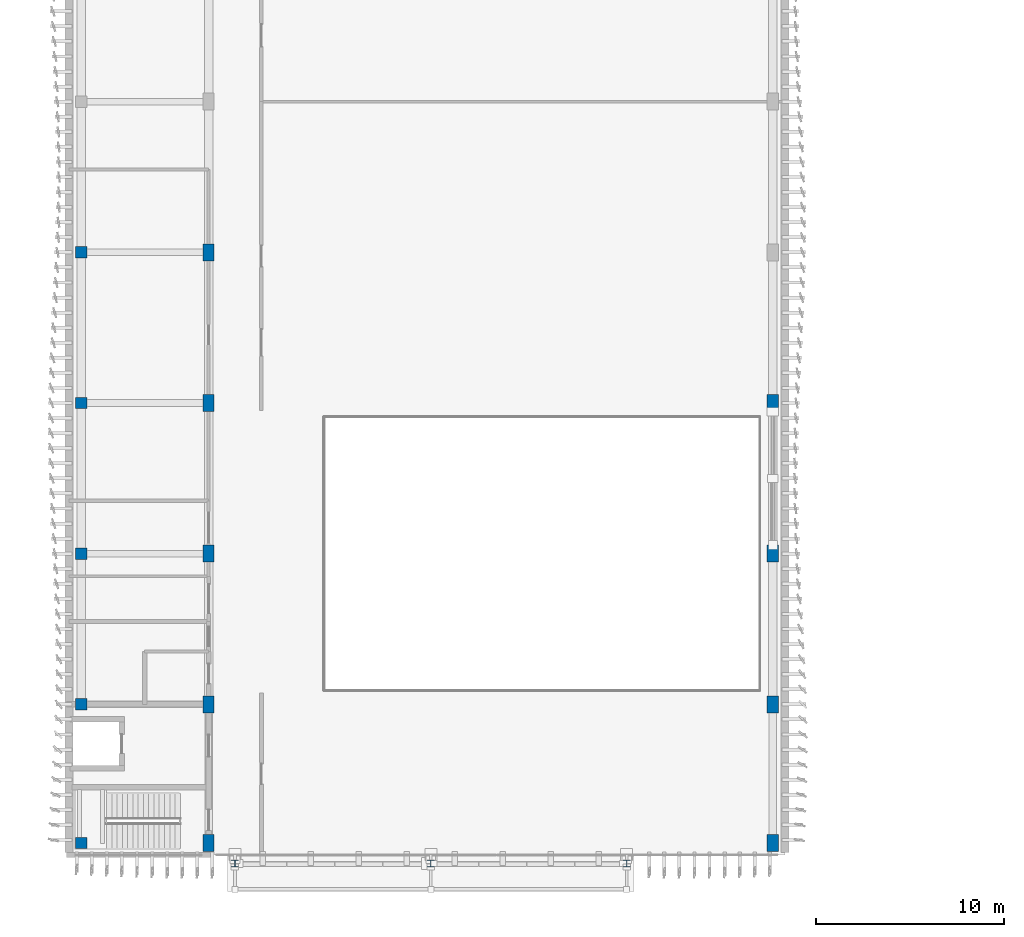
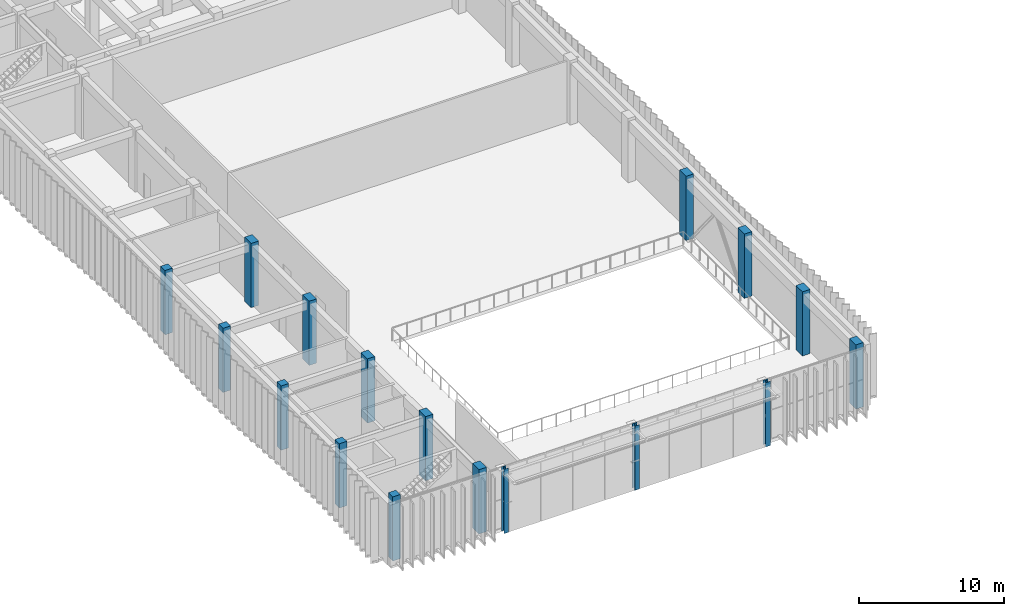
# One storey, part 1 of 64: 17 columns.
"""IFC4 building model written with IfcOpenShell, lengths in metres."""

from ifc_helpers import new_model, si_unit, direction, frame, origin, origin_2d, place, context, subcontext, project, spatial, rectangle, i_section, extrude, material, material_profile, profile_set, type_object, element, save


model = new_model("IFC4")

# Units and contexts
model_context = context("Model", 3, precision=1e-05, world=origin(), true_north=direction((0.0, 1.0)))
body_context = subcontext(model_context, "Body", "Model", "MODEL_VIEW")
ifc_project = project(units=[si_unit("LENGTHUNIT", "METRE"), si_unit("AREAUNIT", "SQUARE_METRE"), si_unit("VOLUMEUNIT", "CUBIC_METRE"), si_unit("PLANEANGLEUNIT", "RADIAN"), si_unit("MASSUNIT", "GRAM", prefix="KILO")], contexts=[model_context])

# Site, building, storey
site_placement = place(None, origin())
site = spatial("IfcSite", under=ifc_project, at=site_placement, CompositionType="ELEMENT")
building_placement = place(site_placement, origin())
building = spatial("IfcBuilding", under=site, at=building_placement, Name="Cinchona Park Media Centre", CompositionType="ELEMENT")
storey_placement = place(building_placement, frame((0.0, 0.0, 10.199951171875)))
storey = spatial("IfcBuildingStorey", under=building, at=storey_placement, Name="L02", CompositionType="ELEMENT", Elevation=10.199951171875)

# Columns
ifc_material_1 = material(Name="Concrete C40/50", Category="concrete")
ifc_material_profile_1 = material_profile(ifc_material_1, rectangle(XDim=0.60009765625, YDim=0.60009765625, at=origin_2d()), Name="RC 600X600")
ifc_profile_set_1 = profile_set([ifc_material_profile_1], Name="Concrete C40/50")
column_type_1 = type_object("IfcColumnType", Name="COL-C03-RC600X600", PredefinedType="COLUMN", material=ifc_profile_set_1)
for number, where, z_axis, x_axis, name in (
    (1, (8.639892578125, 8.239990234375, 0.0), (0.0, 0.0, 1.0), (1.0, 0.0, 0.0), "Column C03 L02"),
    (2, (8.639892578125, 15.60009765625, 0.0), (0.0, 0.0, 1.0), (1.0, 0.0, 0.0), "Column C03 L02"),
    (3, (8.639892578125, 23.60009765625, 0.0), (0.0, 0.0, 1.0), (1.0, 0.0, 0.0), "Column C03 L02"),
    (4, (8.639892578125, 31.60009765625, 0.0), (0.0, 0.0, 1.0), (1.0, 0.0, 0.0), "Column C03 L02"),
    (5, (8.639892578125, 39.60009765625, 0.0), (0.0, 0.0, 1.0), (1.0, 0.0, 0.0), "Column C03 L02"),
):
    element("IfcColumn", number, at=place(storey_placement, frame(where, z_axis=z_axis, x_axis=x_axis)), inside=storey, type_object=column_type_1, Name=name, PredefinedType="COLUMN", context=body_context, shape_type="SweptSolid", body=[
        extrude(rectangle(XDim=0.60009765625, YDim=0.60009765625, at=origin_2d()), origin(), (0.0, 0.0, 1.0), 5.400146484375),
    ])
ifc_material_2 = material(Name="Concrete C40/50", Category="concrete")
ifc_material_profile_2 = material_profile(ifc_material_2, rectangle(XDim=0.60009765625, YDim=0.89990234375, at=origin_2d()), Name="RC 600X900")
ifc_profile_set_2 = profile_set([ifc_material_profile_2], Name="Concrete C40/50")
column_type_2 = type_object("IfcColumnType", Name="COL-C05-RC600X900", PredefinedType="COLUMN", material=ifc_profile_set_2)
for number, where, z_axis, x_axis, name in (
    (6, (15.39990234375, 8.239990234375, 0.0), (0.0, 0.0, 1.0), (1.0, 0.0, 0.0), "Column C05 L02"),
    (7, (15.39990234375, 15.60009765625, 0.0), (0.0, 0.0, 1.0), (1.0, 0.0, 0.0), "Column C05 L02"),
    (8, (15.39990234375, 23.60009765625, 0.0), (0.0, 0.0, 1.0), (1.0, 0.0, 0.0), "Column C05 L02"),
    (9, (15.39990234375, 31.60009765625, 0.0), (0.0, 0.0, 1.0), (1.0, 0.0, 0.0), "Column C05 L02"),
    (10, (15.39990234375, 39.60009765625, 0.0), (0.0, 0.0, 1.0), (1.0, 0.0, 0.0), "Column C05 L02"),
    (11, (45.360107421875, 8.239990234375, 0.0), (0.0, 0.0, 1.0), (1.0, 0.0, 0.0), "Column C05 L02"),
    (12, (45.360107421875, 15.60009765625, 0.0), (0.0, 0.0, 1.0), (1.0, 0.0, 0.0), "Column C05 L02"),
    (13, (45.360107421875, 23.60009765625, 0.0), (0.0, 0.0, 1.0), (1.0, 0.0, 0.0), "Column C05 L02"),
    (14, (45.360107421875, 31.60009765625, 0.0), (0.0, 0.0, 1.0), (1.0, 0.0, 0.0), "Column C05 L02"),
):
    element("IfcColumn", number, at=place(storey_placement, frame(where, z_axis=z_axis, x_axis=x_axis)), inside=storey, type_object=column_type_2, Name=name, PredefinedType="COLUMN", context=body_context, shape_type="SweptSolid", body=[
        extrude(rectangle(XDim=0.60009765625, YDim=0.89990234375, at=origin_2d()), origin(), (0.0, 0.0, 1.0), 5.400146484375),
    ])
ifc_material_3 = material(Name="Steel S355", Category="steel")
ifc_material_profile_3 = material_profile(ifc_material_3, i_section(OverallWidth=0.37255859375, OverallDepth=0.3681640625, WebThickness=0.014404296875, FlangeThickness=0.023681640625, at=origin_2d()), Name="UC356X368X177")
ifc_profile_set_3 = profile_set([ifc_material_profile_3], Name="Steel S355")
column_type_3 = type_object("IfcColumnType", Name="COL-C08-UC356X368X177", PredefinedType="COLUMN", material=ifc_profile_set_3)
for number, where, z_axis, x_axis, name in (
    (15, (16.800048828125, 7.14990234375, 0.0), (0.0, 0.0, 1.0), (1.0, 0.0, 0.0), "Screen Portal Column C08 L02"),
    (16, (27.199951171875, 7.14990234375, 0.0), (0.0, 0.0, 1.0), (1.0, 0.0, 0.0), "Screen Portal Column C08 L02"),
    (17, (37.60009765625, 7.14990234375, 0.0), (0.0, 0.0, 1.0), (1.0, 0.0, 0.0), "Screen Portal Column C08 L02"),
):
    element("IfcColumn", number, at=place(storey_placement, frame(where, z_axis=z_axis, x_axis=x_axis)), inside=storey, type_object=column_type_3, Name=name, PredefinedType="COLUMN", context=body_context, shape_type="SweptSolid", body=[
        extrude(i_section(OverallWidth=0.37255859375, OverallDepth=0.3681640625, WebThickness=0.014404296875, FlangeThickness=0.023681640625, at=origin_2d()), origin(), (0.0, 0.0, 1.0), 5.400146484375),
    ])

save(model, "model.ifc")
